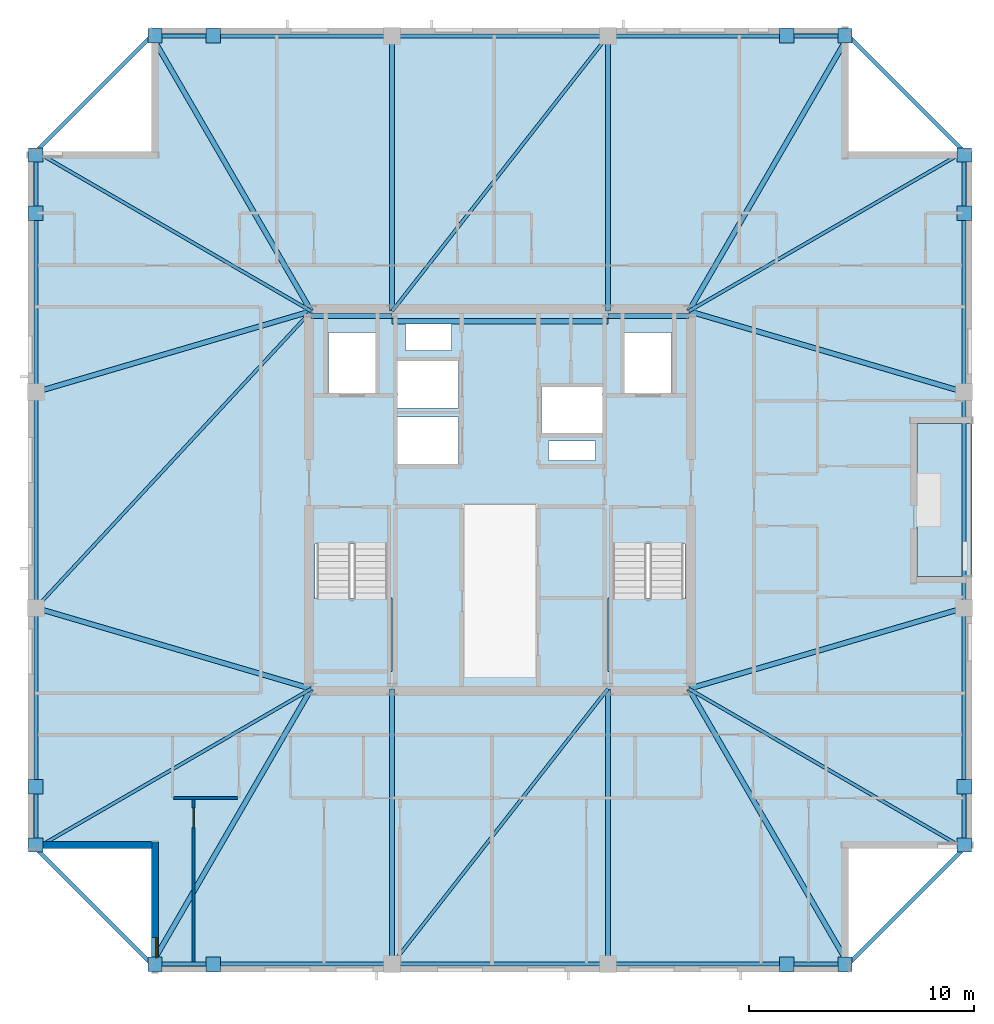
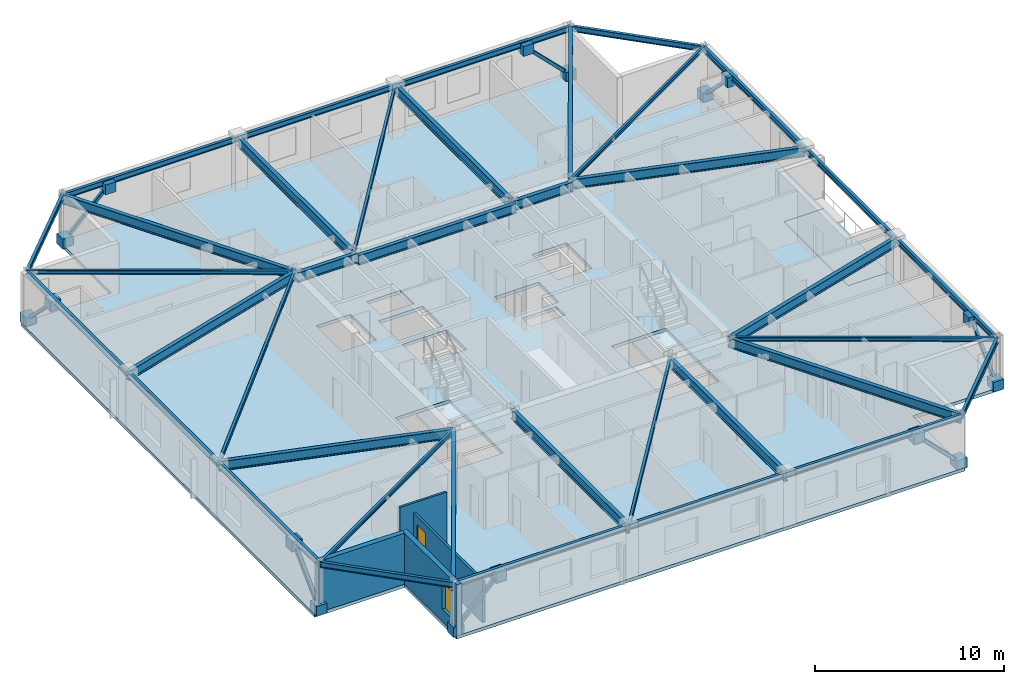
# One storey, part 6 of 15: 38 beams, 16 plates, 8 members, 4 slabs, 4 walls, 1 door, 1 window, 2 openings, 2 elements without a shape of their own.
"""IFC4 building model written with IfcOpenShell, lengths in metres."""

from ifc_helpers import new_model, si_unit, direction, frame, frame_2d, origin, origin_2d, place, context, subcontext, project, spatial, polyline, rectangle, hollow_rectangle, i_section, outline, extrude, material, layer, layer_set, material_profile, profile_set, type_object, element, fill, aggregate, save


model = new_model("IFC4")

# Units and contexts
model_context = context("Model", 3, precision=1e-05, world=origin(), true_north=direction((0.0, 1.0)))
body_context = subcontext(model_context, "Body", "Model", "MODEL_VIEW")
ifc_project = project(units=[si_unit("LENGTHUNIT", "METRE"), si_unit("AREAUNIT", "SQUARE_METRE"), si_unit("VOLUMEUNIT", "CUBIC_METRE"), si_unit("PLANEANGLEUNIT", "RADIAN"), si_unit("MASSUNIT", "GRAM", prefix="KILO")], contexts=[model_context])

# Site, building, storey
site_placement = place(None, origin())
site = spatial("IfcSite", under=ifc_project, at=site_placement, CompositionType="ELEMENT")
building_placement = place(site_placement, origin())
building = spatial("IfcBuilding", under=site, at=building_placement, Name="Cairnveth Concourse Tower", CompositionType="ELEMENT")
storey_placement = place(building_placement, frame((0.0, 0.0, 305.0)))
storey = spatial("IfcBuildingStorey", under=building, at=storey_placement, Name="L84", CompositionType="ELEMENT", Elevation=305.0)

# Beams
ifc_material_1 = material(Name="Steel Grade 350", Category="steel")
ifc_material_profile_1 = material_profile(ifc_material_1, i_section(OverallWidth=0.22802734375, OverallDepth=0.60693359375, WebThickness=0.01123046875, FlangeThickness=0.017333984375, FilletRadius=0.013916015625, at=origin_2d()), Name="610UB113")
ifc_profile_set_1 = profile_set([ifc_material_profile_1], Name="Steel Grade 350")
beam_type_1 = type_object("IfcBeamType", Name="CORE TIE BEAM 610UB113", PredefinedType="T_BEAM", material=ifc_profile_set_1)
for number, where, z_axis, x_axis, name in (
    (1, (43.60009765625, 47.179931640625, 2.986572265625), (1.0, 0.0, 0.0), (0.0, 1.0, 0.0), "Beam CT-N1 L84"),
    (2, (56.800048828125, 47.179931640625, 2.986572265625), (1.0, 0.0, 0.0), (0.0, 1.0, 0.0), "Beam CT-N3 L84"),
):
    element("IfcBeam", number, at=place(storey_placement, frame(where, z_axis=z_axis, x_axis=x_axis)), inside=storey, type_object=beam_type_1, Name=name, PredefinedType="T_BEAM", context=body_context, shape_type="SweptSolid", body=[
        extrude(i_section(OverallWidth=0.22802734375, OverallDepth=0.60693359375, WebThickness=0.01123046875, FlangeThickness=0.017333984375, FilletRadius=0.013916015625, at=origin_2d()), origin(), (0.0, 0.0, 1.0), 3.599853515625),
    ])
beam_1_placement = place(storey_placement, frame((47.199951171875, 46.949951171875, 2.986572265625), z_axis=(1.0, 0.0, 0.0), x_axis=(0.0, 1.0, 0.0)))
element("IfcBeam", 3, at=beam_1_placement, inside=storey, type_object=beam_type_1, Name="Beam CT-N2 L84", PredefinedType="T_BEAM", context=body_context, shape_type="SweptSolid", body=[
    extrude(i_section(OverallWidth=0.22802734375, OverallDepth=0.60693359375, WebThickness=0.01123046875, FlangeThickness=0.017333984375, FilletRadius=0.013916015625, at=origin_2d()), origin(), (0.0, 0.0, 1.0), 9.60009765625),
])
ifc_material_profile_2 = material_profile(ifc_material_1, i_section(OverallWidth=0.14599609375, OverallDepth=0.256103515625, WebThickness=0.00634765625, FlangeThickness=0.010986328125, FilletRadius=0.009033203125, at=origin_2d()), Name="250UB37.3")
ifc_profile_set_2 = profile_set([ifc_material_profile_2], Name="Steel Grade 350")
beam_type_2 = type_object("IfcBeamType", Name="ZONE 4 FLOOR JOIST 250UB37.3", PredefinedType="JOIST", material=ifc_profile_set_2)
for number, where, z_axis, x_axis, name in (
    (4, (31.35009765625, 23.5, 3.162109375), (0.86518141842, 0.501458984584, 0.0), (-0.501458984584, 0.86518141842, 0.0), "Beam FJ-CSW2 L84"),
    (5, (72.64990234375, 23.5, 3.162109375), (-0.86518141842, 0.501458984584, 0.0), (-0.501458984584, -0.86518141842, 0.0), "Beam FJ-CSE2 L84"),
    (6, (72.64990234375, 54.5, 3.162109375), (-0.86518141842, -0.501458984584, 0.0), (0.501458984584, -0.86518141842, 0.0), "Beam FJ-CNE2 L84"),
    (7, (31.35009765625, 54.5, 3.162109375), (0.86518141842, -0.501458984584, 0.0), (0.501458984584, 0.86518141842, 0.0), "Beam FJ-CNW2 L84"),
):
    element("IfcBeam", number, at=place(storey_placement, frame(where, z_axis=z_axis, x_axis=x_axis)), inside=storey, type_object=beam_type_2, Name=name, PredefinedType="JOIST", context=body_context, shape_type="SweptSolid", body=[
        extrude(i_section(OverallWidth=0.14599609375, OverallDepth=0.256103515625, WebThickness=0.00634765625, FlangeThickness=0.010986328125, FilletRadius=0.009033203125, at=origin_2d()), origin(), (0.0, 0.0, 1.0), 14.158935546875),
    ])
for number, where, z_axis, x_axis, name in (
    (8, (47.199951171875, 18.35009765625, 3.162109375), (0.616831762718, 0.787095023807, 0.0), (-0.787095023807, 0.616831762718, 0.0), "Beam FJ-S-M1 L84"),
    (9, (47.199951171875, 47.39990234375, 3.162109375), (0.616831762718, 0.787095023807, 0.0), (-0.787095023807, 0.616831762718, 0.0), "Beam FJ-N-M1 L84"),
):
    element("IfcBeam", number, at=place(storey_placement, frame(where, z_axis=z_axis, x_axis=x_axis)), inside=storey, type_object=beam_type_2, Name=name, PredefinedType="JOIST", context=body_context, shape_type="SweptSolid", body=[
        extrude(i_section(OverallWidth=0.14599609375, OverallDepth=0.256103515625, WebThickness=0.00634765625, FlangeThickness=0.010986328125, FilletRadius=0.009033203125, at=origin_2d()), origin(), (0.0, 0.0, 1.0), 15.5634765625),
    ])
beam_2_placement = place(storey_placement, frame((31.35009765625, 34.199951171875, 3.162109375), z_axis=(0.680239432161, 0.732989982833, 0.0), x_axis=(-0.732989982833, 0.680239432161, 0.0)))
element("IfcBeam", 10, at=beam_2_placement, inside=storey, type_object=beam_type_2, Name="Beam FJ-W-M1 L84", PredefinedType="JOIST", context=body_context, shape_type="SweptSolid", body=[
    extrude(i_section(OverallWidth=0.14599609375, OverallDepth=0.256103515625, WebThickness=0.00634765625, FlangeThickness=0.010986328125, FilletRadius=0.009033203125, at=origin_2d()), origin(), (0.0, 0.0, 1.0), 18.00830078125),
])

# Members
ifc_material_2 = material(Name="Steel C350L0 (350 MPa)", Category="steel")
ifc_material_profile_3 = material_profile(ifc_material_2, hollow_rectangle(XDim=0.199951171875, YDim=0.199951171875, WallThickness=0.012451171875, InnerFilletRadius=0.012939453125, OuterFilletRadius=0.02490234375, at=origin_2d()), Name="200x200x12.5SHS")
ifc_profile_set_3 = profile_set([ifc_material_profile_3], Name="Steel C350L0 (350 MPa)")
member_type = type_object("IfcMemberType", Name="ZONE 4 PIER BRACE 200X200X12.5SHS", PredefinedType="BRACE", material=ifc_profile_set_3)
for number, where, z_axis, x_axis, name in (
    (11, (36.64990234375, 18.35009765625, 0.25), (0.708469186186, 0.0, 0.705741746126), (0.0, 1.0, 0.0), "Structural Brace PB-S1 L84"),
    (12, (67.35009765625, 18.35009765625, 0.25), (-0.708469186186, 0.0, 0.705741746126), (0.0, -1.0, 0.0), "Structural Brace PB-S2 L84"),
    (13, (36.64990234375, 59.64990234375, 0.25), (0.708469186186, 0.0, 0.705741746126), (0.0, 1.0, 0.0), "Structural Brace PB-N1 L84"),
    (14, (67.35009765625, 59.64990234375, 0.25), (-0.708469186186, 0.0, 0.705741746126), (0.0, -1.0, 0.0), "Structural Brace PB-N2 L84"),
    (15, (31.35009765625, 23.64990234375, 0.25), (0.0, 0.708469186186, 0.705741746126), (-1.0, 0.0, 0.0), "Structural Brace PB-W1 L84"),
    (16, (31.35009765625, 54.35009765625, 0.25), (0.0, -0.708469186186, 0.705741746126), (1.0, 0.0, 0.0), "Structural Brace PB-W2 L84"),
    (17, (72.64990234375, 23.64990234375, 0.25), (0.0, 0.708469186186, 0.705741746126), (-1.0, 0.0, 0.0), "Structural Brace PB-E1 L84"),
    (18, (72.64990234375, 54.35009765625, 0.25), (0.0, -0.708469186186, 0.705741746126), (1.0, 0.0, 0.0), "Structural Brace PB-E2 L84"),
):
    element("IfcMember", number, at=place(storey_placement, frame(where, z_axis=z_axis, x_axis=x_axis)), inside=storey, type_object=member_type, Name=name, PredefinedType="BRACE", context=body_context, shape_type="SweptSolid", body=[
        extrude(hollow_rectangle(XDim=0.199951171875, YDim=0.199951171875, WallThickness=0.012451171875, InnerFilletRadius=0.012939453125, OuterFilletRadius=0.02490234375, at=origin_2d()), origin(), (0.0, 0.0, 1.0), 3.669921875),
    ])

# Beams
ifc_material_profile_4 = material_profile(ifc_material_1, i_section(OverallWidth=0.22900390625, OverallDepth=0.612060546875, WebThickness=0.011962890625, FlangeThickness=0.01953125, FilletRadius=0.013916015625, at=origin_2d()), Name="610UB125")
ifc_profile_set_4 = profile_set([ifc_material_profile_4], Name="Steel Grade 350")
beam_type_3 = type_object("IfcBeamType", Name="ZONE 4 RADIAL GIRDER 610UB125", PredefinedType="BEAM", material=ifc_profile_set_4)
for number, where, z_axis, x_axis, name in (
    (19, (47.199951171875, 18.35009765625, 2.98388671875), (0.0, 1.0, 0.0), (-1.0, 0.0, 0.0), "Beam RG-S1 L84"),
    (20, (56.800048828125, 18.35009765625, 2.98388671875), (0.0, 1.0, 0.0), (-1.0, 0.0, 0.0), "Beam RG-S2 L84"),
    (21, (47.199951171875, 47.39990234375, 2.98388671875), (0.0, 1.0, 0.0), (-1.0, 0.0, 0.0), "Beam RG-N1 L84"),
    (22, (56.800048828125, 47.39990234375, 2.98388671875), (0.0, 1.0, 0.0), (-1.0, 0.0, 0.0), "Beam RG-N2 L84"),
):
    element("IfcBeam", number, at=place(storey_placement, frame(where, z_axis=z_axis, x_axis=x_axis)), inside=storey, type_object=beam_type_3, Name=name, PredefinedType="BEAM", context=body_context, shape_type="SweptSolid", body=[
        extrude(i_section(OverallWidth=0.22900390625, OverallDepth=0.612060546875, WebThickness=0.011962890625, FlangeThickness=0.01953125, FilletRadius=0.013916015625, at=origin_2d()), origin(), (0.0, 0.0, 1.0), 12.25),
    ])
for number, where, z_axis, x_axis, name in (
    (23, (31.35009765625, 34.199951171875, 2.98388671875), (0.959430938842, -0.281943741893, 0.0), (0.281943741893, 0.959430938842, 0.0), "Beam RG-W1 L84"),
    (24, (31.35009765625, 43.800048828125, 2.98388671875), (0.959430938842, 0.281943741893, 0.0), (-0.281943741893, 0.959430938842, 0.0), "Beam RG-W2 L84"),
    (25, (60.39990234375, 30.60009765625, 2.98388671875), (0.959430938842, 0.281943741893, 0.0), (-0.281943741893, 0.959430938842, 0.0), "Beam RG-E1 L84"),
    (26, (60.39990234375, 47.39990234375, 2.98388671875), (0.959430938842, -0.281943741893, 0.0), (0.281943741893, 0.959430938842, 0.0), "Beam RG-E2 L84"),
):
    element("IfcBeam", number, at=place(storey_placement, frame(where, z_axis=z_axis, x_axis=x_axis)), inside=storey, type_object=beam_type_3, Name=name, PredefinedType="BEAM", context=body_context, shape_type="SweptSolid", body=[
        extrude(i_section(OverallWidth=0.22900390625, OverallDepth=0.612060546875, WebThickness=0.011962890625, FlangeThickness=0.01953125, FilletRadius=0.013916015625, at=origin_2d()), origin(), (0.0, 0.0, 1.0), 12.76806640625),
    ])
for number, where, z_axis, x_axis, name in (
    (27, (36.5, 18.35009765625, 2.98388671875), (0.501458984584, 0.86518141842, 0.0), (-0.86518141842, 0.501458984584, 0.0), "Beam RG-CSW L84"),
    (28, (67.5, 18.35009765625, 2.98388671875), (-0.501458984584, 0.86518141842, 0.0), (-0.86518141842, -0.501458984584, 0.0), "Beam RG-CSE L84"),
    (29, (67.5, 59.64990234375, 2.98388671875), (-0.501458984584, -0.86518141842, 0.0), (0.86518141842, -0.501458984584, 0.0), "Beam RG-CNE L84"),
    (30, (36.5, 59.64990234375, 2.98388671875), (0.501458984584, -0.86518141842, 0.0), (0.86518141842, 0.501458984584, 0.0), "Beam RG-CNW L84"),
):
    element("IfcBeam", number, at=place(storey_placement, frame(where, z_axis=z_axis, x_axis=x_axis)), inside=storey, type_object=beam_type_3, Name=name, PredefinedType="BEAM", context=body_context, shape_type="SweptSolid", body=[
        extrude(i_section(OverallWidth=0.22900390625, OverallDepth=0.612060546875, WebThickness=0.011962890625, FlangeThickness=0.01953125, FilletRadius=0.013916015625, at=origin_2d()), origin(), (0.0, 0.0, 1.0), 14.158935546875),
    ])
ifc_material_profile_5 = material_profile(ifc_material_1, i_section(OverallWidth=0.172119140625, OverallDepth=0.35888671875, WebThickness=0.008056640625, FlangeThickness=0.012939453125, FilletRadius=0.010986328125, at=origin_2d()), Name="360UB56.7")
ifc_profile_set_5 = profile_set([ifc_material_profile_5], Name="Steel Grade 350")
beam_type_4 = type_object("IfcBeamType", Name="ZONE 4 SPANDREL BEAM 360UB56.7", PredefinedType="SPANDREL", material=ifc_profile_set_5)
beam_3_placement = place(storey_placement, frame((36.5, 18.35009765625, 3.110595703125), z_axis=(1.0, 0.0, 0.0), x_axis=(0.0, 1.0, 0.0)))
element("IfcBeam", 31, at=beam_3_placement, inside=storey, type_object=beam_type_4, Name="Beam SP-S1 L84", PredefinedType="SPANDREL", context=body_context, shape_type="SweptSolid", body=[
    extrude(i_section(OverallWidth=0.172119140625, OverallDepth=0.35888671875, WebThickness=0.008056640625, FlangeThickness=0.012939453125, FilletRadius=0.010986328125, at=origin_2d()), origin(), (0.0, 0.0, 1.0), 10.699951171875),
])
beam_4_placement = place(storey_placement, frame((47.199951171875, 18.35009765625, 3.110595703125), z_axis=(1.0, 0.0, 0.0), x_axis=(0.0, 1.0, 0.0)))
element("IfcBeam", 32, at=beam_4_placement, inside=storey, type_object=beam_type_4, Name="Beam SP-S2 L84", PredefinedType="SPANDREL", context=body_context, shape_type="SweptSolid", body=[
    extrude(i_section(OverallWidth=0.172119140625, OverallDepth=0.35888671875, WebThickness=0.008056640625, FlangeThickness=0.012939453125, FilletRadius=0.010986328125, at=origin_2d()), origin(), (0.0, 0.0, 1.0), 9.60009765625),
])
for number, where, z_axis, x_axis, name in (
    (33, (56.800048828125, 18.35009765625, 3.110595703125), (1.0, 0.0, 0.0), (0.0, 1.0, 0.0), "Beam SP-S3 L84"),
    (34, (36.5, 59.64990234375, 3.110595703125), (1.0, 0.0, 0.0), (0.0, 1.0, 0.0), "Beam SP-N1 L84"),
):
    element("IfcBeam", number, at=place(storey_placement, frame(where, z_axis=z_axis, x_axis=x_axis)), inside=storey, type_object=beam_type_4, Name=name, PredefinedType="SPANDREL", context=body_context, shape_type="SweptSolid", body=[
        extrude(i_section(OverallWidth=0.172119140625, OverallDepth=0.35888671875, WebThickness=0.008056640625, FlangeThickness=0.012939453125, FilletRadius=0.010986328125, at=origin_2d()), origin(), (0.0, 0.0, 1.0), 10.699951171875),
    ])
beam_5_placement = place(storey_placement, frame((47.199951171875, 59.64990234375, 3.110595703125), z_axis=(1.0, 0.0, 0.0), x_axis=(0.0, 1.0, 0.0)))
element("IfcBeam", 35, at=beam_5_placement, inside=storey, type_object=beam_type_4, Name="Beam SP-N2 L84", PredefinedType="SPANDREL", context=body_context, shape_type="SweptSolid", body=[
    extrude(i_section(OverallWidth=0.172119140625, OverallDepth=0.35888671875, WebThickness=0.008056640625, FlangeThickness=0.012939453125, FilletRadius=0.010986328125, at=origin_2d()), origin(), (0.0, 0.0, 1.0), 9.60009765625),
])
for number, where, z_axis, x_axis, name in (
    (36, (56.800048828125, 59.64990234375, 3.110595703125), (1.0, 0.0, 0.0), (0.0, 1.0, 0.0), "Beam SP-N3 L84"),
    (37, (31.35009765625, 23.5, 3.110595703125), (0.0, 1.0, 0.0), (-1.0, 0.0, 0.0), "Beam SP-W1 L84"),
):
    element("IfcBeam", number, at=place(storey_placement, frame(where, z_axis=z_axis, x_axis=x_axis)), inside=storey, type_object=beam_type_4, Name=name, PredefinedType="SPANDREL", context=body_context, shape_type="SweptSolid", body=[
        extrude(i_section(OverallWidth=0.172119140625, OverallDepth=0.35888671875, WebThickness=0.008056640625, FlangeThickness=0.012939453125, FilletRadius=0.010986328125, at=origin_2d()), origin(), (0.0, 0.0, 1.0), 10.699951171875),
    ])
beam_6_placement = place(storey_placement, frame((31.35009765625, 34.199951171875, 3.110595703125), z_axis=(0.0, 1.0, 0.0), x_axis=(-1.0, 0.0, 0.0)))
element("IfcBeam", 38, at=beam_6_placement, inside=storey, type_object=beam_type_4, Name="Beam SP-W2 L84", PredefinedType="SPANDREL", context=body_context, shape_type="SweptSolid", body=[
    extrude(i_section(OverallWidth=0.172119140625, OverallDepth=0.35888671875, WebThickness=0.008056640625, FlangeThickness=0.012939453125, FilletRadius=0.010986328125, at=origin_2d()), origin(), (0.0, 0.0, 1.0), 9.60009765625),
])
for number, where, z_axis, x_axis, name in (
    (39, (31.35009765625, 43.800048828125, 3.110595703125), (0.0, 1.0, 0.0), (-1.0, 0.0, 0.0), "Beam SP-W3 L84"),
    (40, (72.64990234375, 23.5, 3.110595703125), (0.0, 1.0, 0.0), (-1.0, 0.0, 0.0), "Beam SP-E1 L84"),
):
    element("IfcBeam", number, at=place(storey_placement, frame(where, z_axis=z_axis, x_axis=x_axis)), inside=storey, type_object=beam_type_4, Name=name, PredefinedType="SPANDREL", context=body_context, shape_type="SweptSolid", body=[
        extrude(i_section(OverallWidth=0.172119140625, OverallDepth=0.35888671875, WebThickness=0.008056640625, FlangeThickness=0.012939453125, FilletRadius=0.010986328125, at=origin_2d()), origin(), (0.0, 0.0, 1.0), 10.699951171875),
    ])
beam_7_placement = place(storey_placement, frame((72.64990234375, 34.199951171875, 3.110595703125), z_axis=(0.0, 1.0, 0.0), x_axis=(-1.0, 0.0, 0.0)))
element("IfcBeam", 41, at=beam_7_placement, inside=storey, type_object=beam_type_4, Name="Beam SP-E2 L84", PredefinedType="SPANDREL", context=body_context, shape_type="SweptSolid", body=[
    extrude(i_section(OverallWidth=0.172119140625, OverallDepth=0.35888671875, WebThickness=0.008056640625, FlangeThickness=0.012939453125, FilletRadius=0.010986328125, at=origin_2d()), origin(), (0.0, 0.0, 1.0), 9.60009765625),
])
beam_8_placement = place(storey_placement, frame((72.64990234375, 43.800048828125, 3.110595703125), z_axis=(0.0, 1.0, 0.0), x_axis=(-1.0, 0.0, 0.0)))
element("IfcBeam", 42, at=beam_8_placement, inside=storey, type_object=beam_type_4, Name="Beam SP-E3 L84", PredefinedType="SPANDREL", context=body_context, shape_type="SweptSolid", body=[
    extrude(i_section(OverallWidth=0.172119140625, OverallDepth=0.35888671875, WebThickness=0.008056640625, FlangeThickness=0.012939453125, FilletRadius=0.010986328125, at=origin_2d()), origin(), (0.0, 0.0, 1.0), 10.699951171875),
])
for number, where, z_axis, x_axis, name in (
    (43, (31.35009765625, 23.5, 3.110595703125), (0.707106781187, -0.707106781187, 0.0), (0.707106781187, 0.707106781187, 0.0), "Beam SP-SW L84"),
    (44, (67.5, 18.35009765625, 3.110595703125), (0.707106781187, 0.707106781187, 0.0), (-0.707106781187, 0.707106781187, 0.0), "Beam SP-SE L84"),
    (45, (67.5, 59.64990234375, 3.110595703125), (0.707106781187, -0.707106781187, 0.0), (0.707106781187, 0.707106781187, 0.0), "Beam SP-NE L84"),
    (46, (31.35009765625, 54.5, 3.110595703125), (0.707106781187, 0.707106781187, 0.0), (-0.707106781187, 0.707106781187, 0.0), "Beam SP-NW L84"),
):
    element("IfcBeam", number, at=place(storey_placement, frame(where, z_axis=z_axis, x_axis=x_axis)), inside=storey, type_object=beam_type_4, Name=name, PredefinedType="SPANDREL", context=body_context, shape_type="SweptSolid", body=[
        extrude(i_section(OverallWidth=0.172119140625, OverallDepth=0.35888671875, WebThickness=0.008056640625, FlangeThickness=0.012939453125, FilletRadius=0.010986328125, at=origin_2d()), origin(), (0.0, 0.0, 1.0), 7.282958984375),
    ])

# Plates
ifc_layer_1 = layer(ifc_material_1, 0.031982421875)
ifc_layer_set_1 = layer_set([ifc_layer_1], Name="Steel Grade 350")
plate_type = type_object("IfcPlateType", Name="PERIMETER BRACE GUSSET PLATE 32", PredefinedType="USERDEFINED", material=ifc_layer_set_1)
for number, where, z_axis, x_axis, name in (
    (47, (36.64990234375, 18.35009765625, -0.06982421875), (0.0, 0.0, 1.0), (1.0, 0.0, 0.0), "Structural Node Plate 1481 L84"),
    (48, (39.25, 18.35009765625, 2.52001953125), (0.0, 0.0, 1.0), (1.0, 0.0, 0.0), "Structural Node Plate 1482 L84"),
    (49, (67.35009765625, 18.35009765625, -0.06982421875), (0.0, 0.0, 1.0), (1.0, 0.0, 0.0), "Structural Node Plate 1483 L84"),
    (50, (64.75, 18.35009765625, 2.52001953125), (0.0, 0.0, 1.0), (1.0, 0.0, 0.0), "Structural Node Plate 1484 L84"),
    (51, (36.64990234375, 59.64990234375, -0.06982421875), (0.0, 0.0, 1.0), (1.0, 0.0, 0.0), "Structural Node Plate 1485 L84"),
    (52, (39.25, 59.64990234375, 2.52001953125), (0.0, 0.0, 1.0), (1.0, 0.0, 0.0), "Structural Node Plate 1486 L84"),
    (53, (67.35009765625, 59.64990234375, -0.06982421875), (0.0, 0.0, 1.0), (1.0, 0.0, 0.0), "Structural Node Plate 1487 L84"),
    (54, (64.75, 59.64990234375, 2.52001953125), (0.0, 0.0, 1.0), (1.0, 0.0, 0.0), "Structural Node Plate 1488 L84"),
    (55, (31.35009765625, 23.64990234375, -0.06982421875), (0.0, 0.0, 1.0), (1.0, 0.0, 0.0), "Structural Node Plate 1489 L84"),
    (56, (31.35009765625, 26.25, 2.52001953125), (0.0, 0.0, 1.0), (1.0, 0.0, 0.0), "Structural Node Plate 1490 L84"),
    (57, (31.35009765625, 54.35009765625, -0.06982421875), (0.0, 0.0, 1.0), (1.0, 0.0, 0.0), "Structural Node Plate 1491 L84"),
    (58, (31.35009765625, 51.75, 2.52001953125), (0.0, 0.0, 1.0), (1.0, 0.0, 0.0), "Structural Node Plate 1492 L84"),
    (59, (72.64990234375, 23.64990234375, -0.06982421875), (0.0, 0.0, 1.0), (1.0, 0.0, 0.0), "Structural Node Plate 1493 L84"),
    (60, (72.64990234375, 26.25, 2.52001953125), (0.0, 0.0, 1.0), (1.0, 0.0, 0.0), "Structural Node Plate 1494 L84"),
    (61, (72.64990234375, 54.35009765625, -0.06982421875), (0.0, 0.0, 1.0), (1.0, 0.0, 0.0), "Structural Node Plate 1495 L84"),
    (62, (72.64990234375, 51.75, 2.52001953125), (0.0, 0.0, 1.0), (1.0, 0.0, 0.0), "Structural Node Plate 1496 L84"),
):
    element("IfcPlate", number, at=place(storey_placement, frame(where, z_axis=z_axis, x_axis=x_axis)), inside=storey, type_object=plate_type, Name=name, ObjectType="GUSSET PLATE", PredefinedType="USERDEFINED", context=body_context, shape_type="SweptSolid", body=[
        extrude(rectangle(XDim=0.639892578125, YDim=0.639892578125, at=origin_2d()), origin(), (0.0, 0.0, 1.0), 0.639892578125),
    ])

# Slab
ifc_material_3 = material(Name="Concrete N50 (50 MPa)", Category="concrete")
ifc_layer_2 = layer(ifc_material_3, 0.18994140625)
ifc_layer_set_2 = layer_set([ifc_layer_2], Name="Concrete N50 (50 MPa)")
slab_type_1 = type_object("IfcSlabType", Name="SPIRAL OUTDOOR TERRACE SLAB 190", PredefinedType="FLOOR", material=ifc_layer_set_2)
slab_1_placement = place(storey_placement, frame((0.0, 0.0, -0.18994140625)))
element("IfcSlab", 63, at=slab_1_placement, inside=storey, type_object=slab_type_1, Name="Spiral Terrace Slab L84", PredefinedType="FLOOR", context=body_context, shape_type="SweptSolid", body=[
    extrude(outline(polyline([(70.550048828125, 35.60009765625), (73.0, 35.60009765625), (73.0, 42.39990234375), (70.550048828125, 42.39990234375), (70.550048828125, 35.60009765625)])), origin(), (0.0, 0.0, 1.0), 0.18994140625),
])

# Stair, slab
ifc_material_4 = material(Name="Precast concrete N50 (50 MPa)", Category="concrete")
stair_type = type_object("IfcStairType", Name="CORE DOG-LEG FIRE STAIR 1500", PredefinedType="HALF_TURN_STAIR", material=ifc_material_4)
stair_1_placement = place(storey_placement, origin())
stair_1 = element("IfcStair", 64, at=stair_1_placement, inside=storey, type_object=stair_type, Name="L84 Fire-Isolated Stair ST-1", PredefinedType="HALF_TURN_STAIR")
ifc_layer_3 = layer(ifc_material_3, 0.199951171875)
ifc_layer_set_3 = layer_set([ifc_layer_3], Name="Concrete N50 (50 MPa)")
slab_type_2 = type_object("IfcSlabType", Name="STAIR HALF LANDING SLAB 200", PredefinedType="LANDING", material=ifc_layer_set_3)
slab_2_placement = place(storey_placement, frame((0.0, 0.0, 1.550048828125)))
slab_2 = element("IfcSlab", 65, at=slab_2_placement, type_object=slab_type_2, Name="ST-1 landing 1", PredefinedType="LANDING", context=body_context, shape_type="SweptSolid", body=[
    extrude(outline(polyline([(43.6201171875, 34.639892578125), (43.6201171875, 31.3701171875), (47.199951171875, 31.3701171875), (47.199951171875, 34.639892578125), (43.6201171875, 34.639892578125)])), origin(), (0.0, 0.0, 1.0), 0.199951171875),
])
aggregate(stair_1, [slab_2])

stair_2_placement = place(storey_placement, origin())
stair_2 = element("IfcStair", 66, at=stair_2_placement, inside=storey, type_object=stair_type, Name="L84 Fire-Isolated Stair ST-2", PredefinedType="HALF_TURN_STAIR")
slab_3_placement = place(storey_placement, frame((0.0, 0.0, 1.550048828125)))
slab_3 = element("IfcSlab", 67, at=slab_3_placement, type_object=slab_type_2, Name="ST-2 landing 1", PredefinedType="LANDING", context=body_context, shape_type="SweptSolid", body=[
    extrude(outline(polyline([(56.800048828125, 34.639892578125), (56.800048828125, 31.3701171875), (60.3798828125, 31.3701171875), (60.3798828125, 34.639892578125), (56.800048828125, 34.639892578125)])), origin(), (0.0, 0.0, 1.0), 0.199951171875),
])
aggregate(stair_2, [slab_3])

# Slab
ifc_layer_4 = layer(ifc_material_3, 0.2099609375)
ifc_layer_set_4 = layer_set([ifc_layer_4], Name="Concrete N50 (50 MPa)")
slab_type_3 = type_object("IfcSlabType", Name="UPPER TOWER COMPOSITE SLAB 210", PredefinedType="FLOOR", material=ifc_layer_set_4)
slab_4_placement = place(storey_placement, frame((0.0, 0.0, -0.2099609375)))
element("IfcSlab", 68, at=slab_4_placement, inside=storey, type_object=slab_type_3, Name="Tower Floor Slab L84", PredefinedType="FLOOR", context=body_context, shape_type="SweptSolid", body=[
    extrude(outline(polyline([(73.0, 35.60009765625), (70.550048828125, 35.60009765625), (70.550048828125, 42.39990234375), (73.0, 42.39990234375), (73.0, 54.5), (67.5, 54.5), (67.5, 60.0), (36.5, 60.0), (36.5, 54.5), (31.0, 54.5), (31.0, 23.5), (36.5, 23.5), (36.5, 18.0), (67.5, 18.0), (67.5, 23.5), (73.0, 23.5), (73.0, 35.60009765625)]), holes=[polyline([(43.760009765625, 31.360107421875), (47.06005859375, 31.360107421875), (47.06005859375, 37.0400390625), (43.760009765625, 37.0400390625), (43.760009765625, 31.360107421875)]), polyline([(56.93994140625, 31.360107421875), (60.239990234375, 31.360107421875), (60.239990234375, 37.0400390625), (56.93994140625, 37.0400390625), (56.93994140625, 31.360107421875)]), polyline([(44.3701171875, 43.75), (46.469970703125, 43.75), (46.469970703125, 46.449951171875), (44.3701171875, 46.449951171875), (44.3701171875, 43.75)]), polyline([(57.530029296875, 43.75), (59.6298828125, 43.75), (59.6298828125, 46.449951171875), (57.530029296875, 46.449951171875), (57.530029296875, 43.75)]), polyline([(47.449951171875, 40.60009765625), (50.14990234375, 40.60009765625), (50.14990234375, 42.699951171875), (47.449951171875, 42.699951171875), (47.449951171875, 40.60009765625)]), polyline([(47.449951171875, 43.10009765625), (50.14990234375, 43.10009765625), (50.14990234375, 45.199951171875), (47.449951171875, 45.199951171875), (47.449951171875, 43.10009765625)]), polyline([(53.85009765625, 41.949951171875), (56.550048828125, 41.949951171875), (56.550048828125, 44.050048828125), (53.85009765625, 44.050048828125), (53.85009765625, 41.949951171875)]), polyline([(47.800048828125, 45.64990234375), (49.85009765625, 45.64990234375), (49.85009765625, 47.050048828125), (47.800048828125, 47.050048828125), (47.800048828125, 45.64990234375)]), polyline([(54.14990234375, 40.75), (56.25, 40.75), (56.25, 41.6201171875), (54.14990234375, 41.6201171875), (54.14990234375, 40.75)])]), origin(), (0.0, 0.0, 1.0), 0.2099609375),
])

# Wall, opening, door
ifc_material_5 = material(Name="Gypsum Plasterboard Partition", Category="gypsum")
ifc_layer_5 = layer(ifc_material_5, 0.139892578125)
ifc_layer_set_5 = layer_set([ifc_layer_5], Name="Gypsum Plasterboard Partition")
wall_type_1 = type_object("IfcWallType", Name="GYPSUM STUD PARTITION 140", PredefinedType="PARTITIONING", material=ifc_layer_set_5)
wall_1_placement = place(storey_placement, frame((38.3701171875, 18.3798828125, 0.0), z_axis=(0.0, 0.0, 1.0), x_axis=(0.0, 1.0, 0.0)))
wall_1 = element("IfcWall", 69, at=wall_1_placement, inside=storey, type_object=wall_type_1, Name="Interior Wall IW-L84-049", PredefinedType="PARTITIONING", context=body_context, shape_type="SweptSolid", body=[
    extrude(rectangle(XDim=7.30517578125, YDim=0.139892578125, at=frame_2d((3.652587890625, 0.0))), origin(), (0.0, 0.0, 1.0), 2.653076171875),
])
opening_1_placement = place(wall_1_placement, frame((6.044921875, 0.0, 0.0)))
opening_1 = element("IfcOpeningElement", 70, at=opening_1_placement, cuts=wall_1, Name="Opening ID18", PredefinedType="OPENING", context=body_context, shape_type="SweptSolid", body=[
    extrude(rectangle(XDim=0.8798828125, YDim=2.10009765625, at=frame_2d((0.43994140625, 1.050048828125))), frame((0.0, 0.079833984375, 0.0), z_axis=(0.0, -1.0, 0.0), x_axis=(1.0, 0.0, 0.0)), (0.0, 0.0, 1.0), 0.159912109375),
])
ifc_material_6 = material(Name="Solid Core Hardwood Timber Leaf", Category="wood")
door_type = type_object("IfcDoorType", Name="INTERIOR SINGLE DOOR 880X2100", OperationType="NOTDEFINED", PredefinedType="DOOR", material=ifc_material_6)
door_placement = place(opening_1_placement, origin())
door = element("IfcDoor", 71, at=door_placement, inside=storey, type_object=door_type, Name="L84PS1 Master Bedroom Door", OperationType="SINGLE_SWING_LEFT", OverallHeight=2.10009765625, OverallWidth=0.8798828125, PredefinedType="DOOR", context=body_context, shape_type="SweptSolid", body=[
    extrude(rectangle(XDim=0.8798828125, YDim=2.10009765625, at=frame_2d((0.43994140625, 1.050048828125))), frame((0.0, 0.02490234375, 0.0), z_axis=(0.0, -1.0, 0.0), x_axis=(1.0, 0.0, 0.0)), (0.0, 0.0, 1.0), 0.050048828125),
])
fill(opening_1, door)

# Wall
ifc_layer_6 = layer(ifc_material_5, 0.1298828125)
ifc_layer_set_6 = layer_set([ifc_layer_6], Name="Gypsum Plasterboard Partition")
wall_type_2 = type_object("IfcWallType", Name="WET AREA PARTITION 140", PredefinedType="PLUMBINGWALL", material=ifc_layer_set_6)
wall_2_placement = place(storey_placement, frame((37.481201171875, 25.735107421875, 0.0), z_axis=(0.0, 0.0, 1.0), x_axis=(1.0, 0.0, 0.0)))
element("IfcWall", 72, at=wall_2_placement, inside=storey, type_object=wall_type_2, Name="Interior Wall IW-L84-045", PredefinedType="PLUMBINGWALL", context=body_context, shape_type="SweptSolid", body=[
    extrude(rectangle(XDim=2.85009765625, YDim=0.1298828125, at=frame_2d((1.425048828125, 0.0))), origin(), (0.0, 0.0, 1.0), 3.2900390625),
])

# Wall, opening, window
ifc_material_7 = material(Name="Hawthorn Red-Ochre Fired Clay Brick Masonry", Category="masonry")
ifc_layer_7 = layer(ifc_material_7, 0.300048828125)
ifc_layer_set_7 = layer_set([ifc_layer_7], Name="Hawthorn Red-Ochre Fired Clay Brick Masonry")
wall_type_3 = type_object("IfcWallType", Name="ZONE 4 BRICK PIER SPANDREL WALL 300", PredefinedType="SOLIDWALL", material=ifc_layer_set_7)
wall_3_placement = place(storey_placement, frame((36.64990234375, 18.0, 0.0), z_axis=(0.0, 0.0, 1.0), x_axis=(0.0, 1.0, 0.0)))
wall_3 = element("IfcWall", 73, at=wall_3_placement, inside=storey, type_object=wall_type_3, Name="Exterior Wall EW-L84-S04", PredefinedType="SOLIDWALL", context=body_context, shape_type="SweptSolid", body=[
    extrude(rectangle(XDim=5.800048828125, YDim=0.300048828125, at=frame_2d((2.89990234375, 0.0))), origin(), (0.0, 0.0, 1.0), 3.2900390625),
])
opening_2_placement = place(wall_3_placement, frame((0.6298828125, 0.0, 0.800048828125)))
opening_2 = element("IfcOpeningElement", 74, at=opening_2_placement, cuts=wall_3, Name="Opening W13", PredefinedType="OPENING", context=body_context, shape_type="SweptSolid", body=[
    extrude(rectangle(XDim=0.89990234375, YDim=1.75, at=frame_2d((0.449951171875, 0.875))), frame((0.0, 0.159912109375, 0.0), z_axis=(0.0, -1.0, 0.0), x_axis=(1.0, 0.0, 0.0)), (0.0, 0.0, 1.0), 0.320068359375),
])
ifc_material_8 = material(Name="Double Glazed Low-E Clear Glass", Category="glass")
window_type = type_object("IfcWindowType", Name="DEEP-SET BEDROOM LANCET WINDOW 900X1750", PartitioningType="DOUBLE_PANEL_VERTICAL", PredefinedType="WINDOW", material=ifc_material_8)
window_placement = place(opening_2_placement, origin())
window = element("IfcWindow", 75, at=window_placement, inside=storey, type_object=window_type, Name="Dwelling Lancet Window L84-DW1", OverallHeight=1.75, OverallWidth=0.89990234375, PartitioningType="SINGLE_PANEL", PredefinedType="WINDOW", context=body_context, shape_type="SweptSolid", body=[
    extrude(rectangle(XDim=0.89990234375, YDim=1.75, at=frame_2d((0.449951171875, 0.875))), frame((0.0, -0.0400390625, 0.0), z_axis=(0.0, -1.0, 0.0), x_axis=(1.0, 0.0, 0.0)), (0.0, 0.0, 1.0), 0.06005859375),
])
fill(opening_2, window)

# Wall
wall_4_placement = place(storey_placement, frame((36.52197265625, 23.64990234375, 0.0), z_axis=(0.0, 0.0, 1.0), x_axis=(-1.0, 0.0, 0.0)))
element("IfcWall", 76, at=wall_4_placement, inside=storey, type_object=wall_type_3, Name="Exterior Wall EW-L84-S05", PredefinedType="SOLIDWALL", context=body_context, shape_type="SweptSolid", body=[
    extrude(rectangle(XDim=5.243896484375, YDim=0.300048828125, at=frame_2d((2.6220703125, 0.0))), origin(), (0.0, 0.0, 1.0), 3.2900390625),
])

save(model, "model.ifc")
